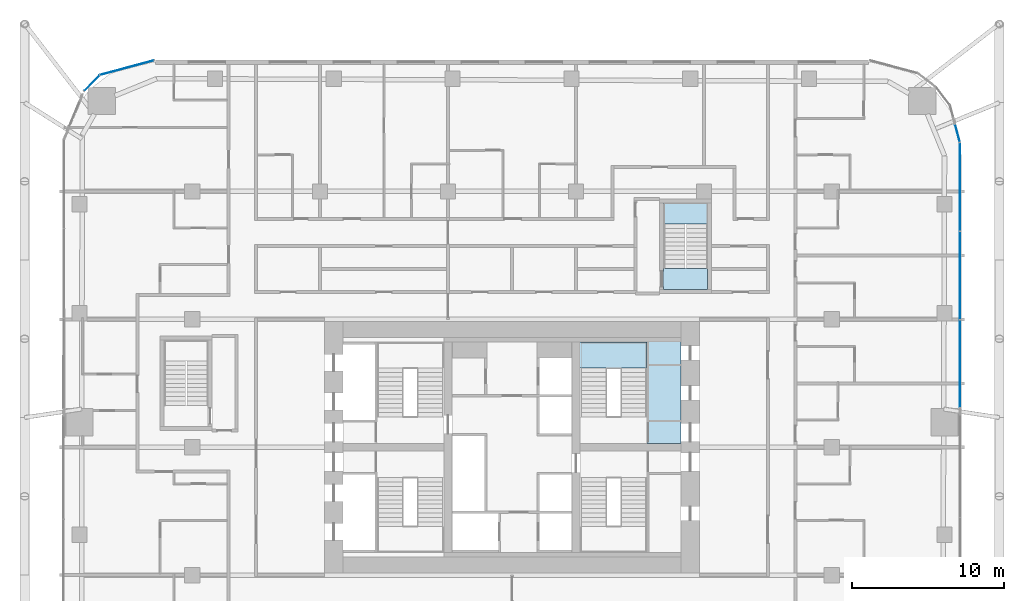
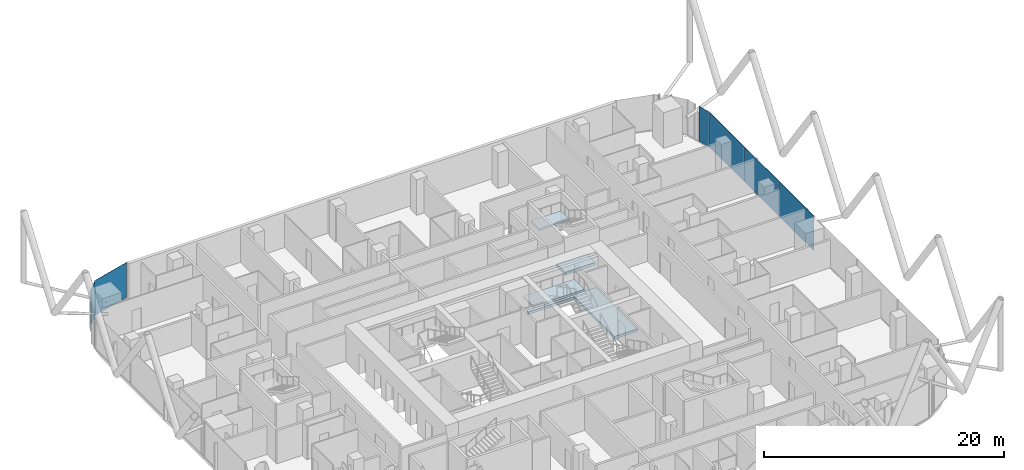
# One storey, part 26 of 38: 6 plates, 4 slabs, 6 elements without a shape of their own.
"""IFC4 building model written with IfcOpenShell, lengths in metres."""

from ifc_helpers import new_model, si_unit, direction, frame, origin, origin_2d, place, context, subcontext, project, spatial, polyline, rectangle, outline, extrude, material, layer, layer_set, type_object, element, aggregate, save


model = new_model("IFC4")

# Units and contexts
model_context = context("Model", 3, precision=1e-05, world=origin(), true_north=direction((0.0, 1.0)))
body_context = subcontext(model_context, "Body", "Model", "MODEL_VIEW")
ifc_project = project(units=[si_unit("LENGTHUNIT", "METRE"), si_unit("AREAUNIT", "SQUARE_METRE"), si_unit("VOLUMEUNIT", "CUBIC_METRE"), si_unit("PLANEANGLEUNIT", "RADIAN"), si_unit("MASSUNIT", "GRAM", prefix="KILO")], contexts=[model_context])

# Site, building, storey
site_placement = place(None, origin())
site = spatial("IfcSite", under=ifc_project, at=site_placement, CompositionType="ELEMENT")
building_placement = place(site_placement, origin())
building = spatial("IfcBuilding", under=site, at=building_placement, Name="Marenta Gate Hotel Tower", CompositionType="ELEMENT")
storey_placement = place(building_placement, frame((0.0, 0.0, 68.89990234375)))
storey = spatial("IfcBuildingStorey", under=building, at=storey_placement, Name="L15", CompositionType="ELEMENT", Elevation=68.89990234375)

# Slab
ifc_material_1 = material(Name="Concrete C40", Category="concrete")
ifc_layer_1 = layer(ifc_material_1, 0.260009765625)
ifc_layer_set_1 = layer_set([ifc_layer_1], Name="Concrete C40")
slab_type_1 = type_object("IfcSlabType", Name="Core floor slab 260", PredefinedType="FLOOR", material=ifc_layer_set_1)
slab_1_placement = place(storey_placement, frame((0.0, 0.0, -0.260009765625)))
element("IfcSlab", 1, at=slab_1_placement, inside=storey, type_object=slab_type_1, Name="L15-CF-3", PredefinedType="FLOOR", context=body_context, shape_type="SweptSolid", body=[
    extrude(outline(polyline([(8.85009765625, 15.300048828125), (4.449951171875, 15.300048828125), (4.449951171875, 15.60009765625), (11.10009765625, 15.60009765625), (11.10009765625, 8.64990234375), (8.85009765625, 8.64990234375), (8.85009765625, 8.699951171875), (8.85009765625, 10.39990234375), (8.85009765625, 15.300048828125)])), origin(), (0.0, 0.0, 1.0), 0.260009765625),
])

# Stair, slab
ifc_material_2 = material(Name="Concrete C40", Category="concrete")
stair_type_1 = type_object("IfcStairType", Name="Core exit stair 1700 wide", PredefinedType="HALF_TURN_STAIR", material=ifc_material_2)
stair_1_placement = place(storey_placement, origin())
stair_1 = element("IfcStair", 2, at=stair_1_placement, inside=storey, type_object=stair_type_1, Name="Exit stair 4", PredefinedType="HALF_TURN_STAIR")
ifc_material_3 = material(Name="Concrete C40", Category="concrete")
ifc_layer_2 = layer(ifc_material_3, 0.199951171875)
ifc_layer_set_2 = layer_set([ifc_layer_2], Name="Concrete C40")
slab_type_2 = type_object("IfcSlabType", Name="Core stair landing 200", PredefinedType="LANDING", material=ifc_layer_set_2)
slab_2_placement = place(storey_placement, frame((0.0, 0.0, 1.60009765625)))
slab_2 = element("IfcSlab", 3, at=slab_2_placement, type_object=slab_type_2, Name="SL-200 ST4 landing 1", PredefinedType="LANDING", context=body_context, shape_type="SweptSolid", body=[
    extrude(outline(polyline([(3.949951171875, 13.590087890625), (8.85009765625, 13.590087890625), (8.85009765625, 15.300048828125), (3.949951171875, 15.300048828125), (3.949951171875, 13.590087890625)])), origin(), (0.0, 0.0, 1.0), 0.199951171875),
])
aggregate(stair_1, [slab_2])

# Curtain wall, plate
ifc_material_4 = material(Name="Tinted insulated glass in bronze anodised frame", Category="glass")
ifc_layer_3 = layer(ifc_material_4, 0.1201171875)
ifc_layer_set_3 = layer_set([ifc_layer_3], Name="Tinted insulated glass in bronze anodised frame")
curtain_wall_type = type_object("IfcCurtainWallType", Name="Tower unitised curtain wall CW1", PredefinedType="NOTDEFINED", material=ifc_layer_set_3)
curtain_wall_1_placement = place(storey_placement, origin())
curtain_wall_1 = element("IfcCurtainWall", 4, at=curtain_wall_1_placement, inside=storey, type_object=curtain_wall_type, Name="CW1 run G00", PredefinedType="NOTDEFINED")
ifc_material_5 = material(Name="Tinted insulated glass", Category="glass")
ifc_layer_4 = layer(ifc_material_5, 0.028076171875)
ifc_layer_set_4 = layer_set([ifc_layer_4], Name="Tinted insulated glass")
plate_type = type_object("IfcPlateType", Name="Glass panel CW1 28 mm tinted insulated unit", PredefinedType="CURTAIN_PANEL", material=ifc_layer_set_4)
plate_1_placement = place(storey_placement, frame((-25.277099609375, 33.3232421875, 0.06005859375), z_axis=(0.0, 0.0, 1.0), x_axis=(-0.965930485164, -0.258801657317, 0.0)))
plate_1 = element("IfcPlate", 5, at=plate_1_placement, type_object=plate_type, Name="CW1 panel 1.1", PredefinedType="CURTAIN_PANEL", context=body_context, shape_type="SweptSolid", body=[
    extrude(rectangle(XDim=3.64990234375, YDim=0.028076171875, at=origin_2d()), origin(), (0.0, 0.0, 1.0), 3.5400390625),
])
aggregate(curtain_wall_1, [plate_1])

curtain_wall_2_placement = place(storey_placement, origin())
curtain_wall_2 = element("IfcCurtainWall", 6, at=curtain_wall_2_placement, inside=storey, type_object=curtain_wall_type, Name="CW1 run G01", PredefinedType="NOTDEFINED")
plate_2_placement = place(storey_placement, frame((-27.58544921875, 32.305419921875, 0.06005859375), z_axis=(0.0, 0.0, 1.0), x_axis=(-0.707106781187, -0.707106781187, 0.0)))
plate_2 = element("IfcPlate", 7, at=plate_2_placement, type_object=plate_type, Name="CW1 panel 1.1", PredefinedType="CURTAIN_PANEL", context=body_context, shape_type="SweptSolid", body=[
    extrude(rectangle(XDim=1.4228515625, YDim=0.028076171875, at=origin_2d()), origin(), (0.0, 0.0, 1.0), 3.5400390625),
])
aggregate(curtain_wall_2, [plate_2])

# Curtain wall, plates
curtain_wall_3_placement = place(storey_placement, origin())
curtain_wall_3 = element("IfcCurtainWall", 8, at=curtain_wall_3_placement, inside=storey, type_object=curtain_wall_type, Name="CW1 run G34", PredefinedType="NOTDEFINED")
plate_3_placement = place(storey_placement, frame((29.4140625, 13.89306640625, 0.06005859375), z_axis=(0.0, 0.0, 1.0), x_axis=(0.0, 1.0, 0.0)))
plate_3 = element("IfcPlate", 9, at=plate_3_placement, type_object=plate_type, Name="CW1 panel 1.1", PredefinedType="CURTAIN_PANEL", context=body_context, shape_type="SweptSolid", body=[
    extrude(rectangle(XDim=5.715576171875, YDim=0.028076171875, at=origin_2d()), origin(), (0.0, 0.0, 1.0), 3.5400390625),
])
plate_4_placement = place(storey_placement, frame((29.4140625, 19.68359375, 0.06005859375), z_axis=(0.0, 0.0, 1.0), x_axis=(0.0, 1.0, 0.0)))
plate_4 = element("IfcPlate", 10, at=plate_4_placement, type_object=plate_type, Name="CW1 panel 2.1", PredefinedType="CURTAIN_PANEL", context=body_context, shape_type="SweptSolid", body=[
    extrude(rectangle(XDim=5.74560546875, YDim=0.028076171875, at=origin_2d()), origin(), (0.0, 0.0, 1.0), 3.5400390625),
])
plate_5_placement = place(storey_placement, frame((29.4140625, 25.504150390625, 0.06005859375), z_axis=(0.0, 0.0, 1.0), x_axis=(0.0, 1.0, 0.0)))
plate_5 = element("IfcPlate", 11, at=plate_5_placement, type_object=plate_type, Name="CW1 panel 3.1", PredefinedType="CURTAIN_PANEL", context=body_context, shape_type="SweptSolid", body=[
    extrude(rectangle(XDim=5.775390625, YDim=0.028076171875, at=origin_2d()), origin(), (0.0, 0.0, 1.0), 3.5400390625),
])
aggregate(curtain_wall_3, [plate_3, plate_4, plate_5])

# Curtain wall, plate
curtain_wall_4_placement = place(storey_placement, origin())
curtain_wall_4 = element("IfcCurtainWall", 12, at=curtain_wall_4_placement, inside=storey, type_object=curtain_wall_type, Name="CW1 run G35", PredefinedType="NOTDEFINED")
plate_6_placement = place(storey_placement, frame((29.2451171875, 29.022705078125, 0.06005859375), z_axis=(0.0, 0.0, 1.0), x_axis=(-0.258816313572, 0.965926558196, 0.0)))
plate_6 = element("IfcPlate", 13, at=plate_6_placement, type_object=plate_type, Name="CW1 panel 1.1", PredefinedType="CURTAIN_PANEL", context=body_context, shape_type="SweptSolid", body=[
    extrude(rectangle(XDim=1.18603515625, YDim=0.028076171875, at=origin_2d()), origin(), (0.0, 0.0, 1.0), 3.5400390625),
])
aggregate(curtain_wall_4, [plate_6])

# Stair, slab
ifc_material_6 = material(Name="Concrete C40", Category="concrete")
stair_type_2 = type_object("IfcStairType", Name="Remote exit stair 1400 wide", PredefinedType="HALF_TURN_STAIR", material=ifc_material_6)
stair_2_placement = place(storey_placement, origin())
stair_2 = element("IfcStair", 14, at=stair_2_placement, inside=storey, type_object=stair_type_2, Name="Exit stair RS-Z1-4", PredefinedType="HALF_TURN_STAIR")
ifc_material_7 = material(Name="Concrete C40", Category="concrete")
ifc_layer_5 = layer(ifc_material_7, 0.199951171875)
ifc_layer_set_5 = layer_set([ifc_layer_5], Name="Concrete C40")
slab_type_3 = type_object("IfcSlabType", Name="Remote stair landing 200", PredefinedType="LANDING", material=ifc_layer_set_5)
slab_3_placement = place(storey_placement, frame((0.0, 0.0, 1.60009765625)))
slab_3 = element("IfcSlab", 15, at=slab_3_placement, type_object=slab_type_3, Name="RL-200 RS-Z1-4 landing 1", PredefinedType="LANDING", context=body_context, shape_type="SweptSolid", body=[
    extrude(outline(polyline([(9.949951171875, 23.050048828125), (12.85009765625, 23.050048828125), (12.85009765625, 24.449951171875), (9.949951171875, 24.449951171875), (9.949951171875, 23.050048828125)])), origin(), (0.0, 0.0, 1.0), 0.199951171875),
])
aggregate(stair_2, [slab_3])

# Slab
ifc_material_8 = material(Name="Concrete C40", Category="concrete")
ifc_layer_6 = layer(ifc_material_8, 0.300048828125)
ifc_layer_set_6 = layer_set([ifc_layer_6], Name="Concrete C40")
slab_type_4 = type_object("IfcSlabType", Name="Stair floor landing slab 300", PredefinedType="FLOOR", material=ifc_layer_set_6)
slab_4_placement = place(storey_placement, frame((0.0, 0.0, -0.2998046875)))
element("IfcSlab", 16, at=slab_4_placement, inside=storey, type_object=slab_type_4, Name="L15-RS-Z1-4-CL", PredefinedType="FLOOR", context=body_context, shape_type="SweptSolid", body=[
    extrude(outline(polyline([(12.85009765625, 18.75), (12.85009765625, 20.14990234375), (9.949951171875, 20.14990234375), (9.949951171875, 18.75), (12.85009765625, 18.75)])), origin(), (0.0, 0.0, 1.0), 0.2998046875),
])

save(model, "model.ifc")
